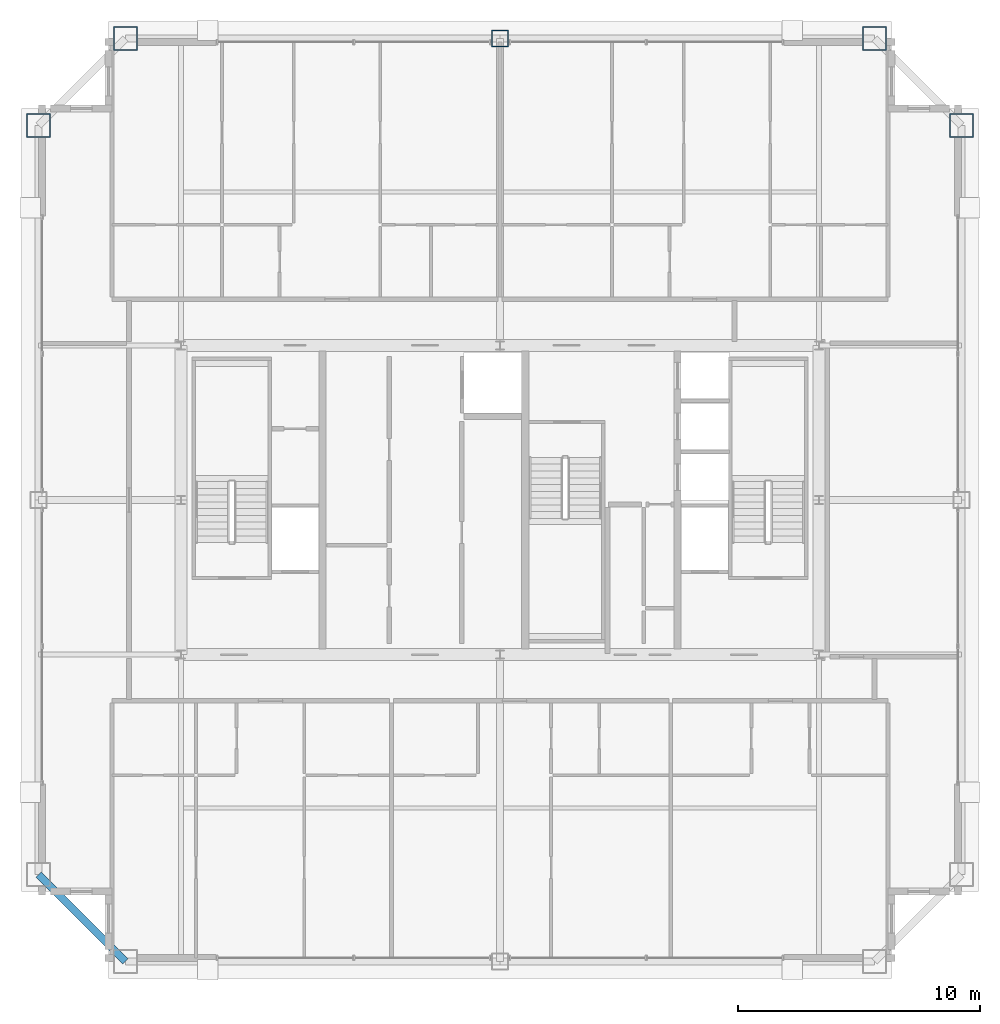
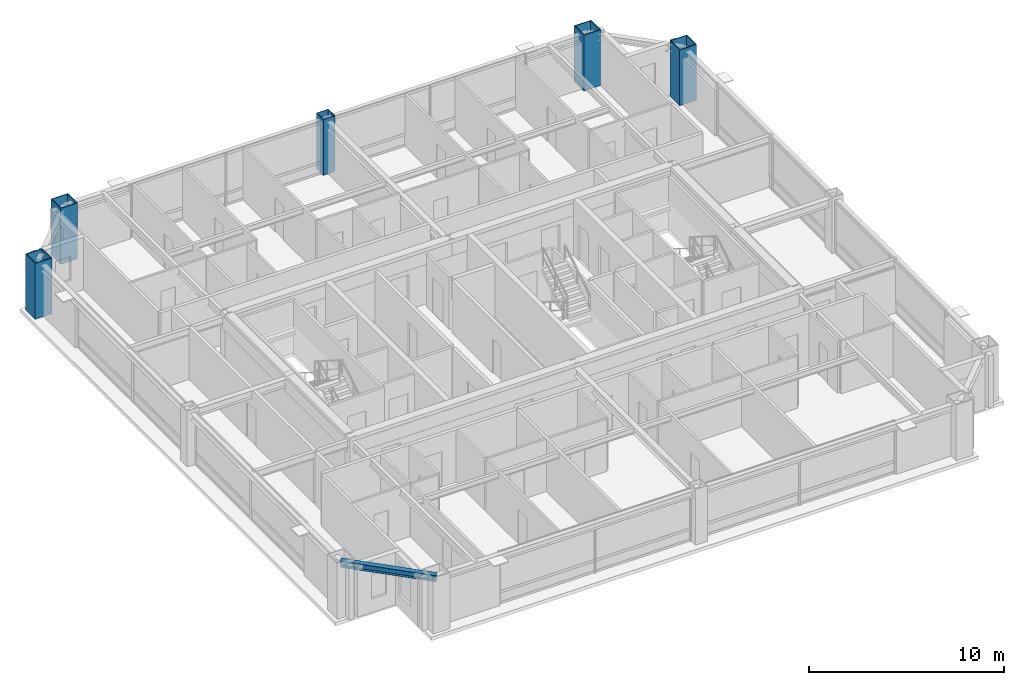
# One storey, part 3 of 35: 5 columns, 1 beam.
"""IFC4 building model written with IfcOpenShell, lengths in metres."""

from ifc_helpers import new_model, si_unit, direction, frame, origin, origin_2d, place, context, subcontext, project, spatial, hollow_rectangle, i_section, extrude, source, transform, mapped, material, material_profile, profile_set, type_object, element, save


model = new_model("IFC4")

# Units and contexts
model_context = context("Model", 3, precision=1e-05, world=origin(), true_north=direction((0.0, 1.0)))
body_context = subcontext(model_context, "Body", "Model", "MODEL_VIEW")
ifc_project = project(units=[si_unit("LENGTHUNIT", "METRE"), si_unit("AREAUNIT", "SQUARE_METRE"), si_unit("VOLUMEUNIT", "CUBIC_METRE"), si_unit("PLANEANGLEUNIT", "RADIAN"), si_unit("MASSUNIT", "GRAM", prefix="KILO"), si_unit("THERMODYNAMICTEMPERATUREUNIT", "KELVIN"), si_unit("POWERUNIT", "WATT")], contexts=[model_context])

# Site, building, storey
site_placement = place(None, origin())
site = spatial("IfcSite", under=ifc_project, at=site_placement, CompositionType="ELEMENT")
building_placement = place(site_placement, origin())
building = spatial("IfcBuilding", under=site, at=building_placement, Name="Yuzanri Waterfront Tower", CompositionType="ELEMENT")
storey_placement = place(building_placement, frame((0.0, 0.0, 332.199951171875)))
storey = spatial("IfcBuildingStorey", under=building, at=storey_placement, Name="L89", CompositionType="ELEMENT", Elevation=332.199951171875)

# Columns
ifc_material_1 = material(Name="Steel Q355B", Category="steel")
ifc_material_profile_1 = material_profile(ifc_material_1, hollow_rectangle(XDim=0.699951171875, YDim=0.699951171875, WallThickness=0.031982421875, at=origin_2d()), Name="RHS 700x700x32")
ifc_profile_set_1 = profile_set([ifc_material_profile_1], Name="Steel Q355B")
column_type_1 = type_object("IfcColumnType", Name="Frame Column Q355B RHS 700x700x32", PredefinedType="COLUMN", material=ifc_profile_set_1)
shared_shape_1 = source(origin(), body_context, "Body", "SweptSolid", [
    extrude(hollow_rectangle(XDim=0.699951171875, YDim=0.699951171875, WallThickness=0.031982421875, at=origin_2d()), origin(), (0.0, 0.0, 1.0), 3.5),
])
column_placement = place(storey_placement, frame((37.0, 44.89990234375, 0.0), z_axis=(0.0, 0.0, 1.0), x_axis=(1.0, 0.0, 0.0)))
element("IfcColumn", 1, at=column_placement, inside=storey, type_object=column_type_1, Name="L89 Perimeter Frame Column N2", PredefinedType="COLUMN", context=body_context, shape_type="MappedRepresentation", body=[
    mapped(shared_shape_1, transform((0.0, 0.0, 0.0), scale=1.0)),
])
ifc_material_2 = material(Name="Steel Q390GJC", Category="steel")
ifc_material_profile_2 = material_profile(ifc_material_2, hollow_rectangle(XDim=1.0, YDim=1.0, WallThickness=0.048095703125, at=origin_2d()), Name="RHS 1000x1000x48")
ifc_profile_set_2 = profile_set([ifc_material_profile_2], Name="Steel Q390GJC")
column_type_2 = type_object("IfcColumnType", Name="Mega Column Q390GJC RHS 1000x1000x48", PredefinedType="COLUMN", material=ifc_profile_set_2)
shared_shape_2 = source(origin(), body_context, "Body", "SweptSolid", [
    extrude(hollow_rectangle(XDim=1.0, YDim=1.0, WallThickness=0.048095703125, at=origin_2d()), origin(), (0.0, 0.0, 1.0), 3.5),
])
for number, where, z_axis, x_axis, name in (
    (2, (21.5, 44.89990234375, 0.0), (0.0, 0.0, 1.0), (1.0, 0.0, 0.0), "L89 Perimeter Mega Column N1"),
    (3, (52.5, 44.89990234375, 0.0), (0.0, 0.0, 1.0), (1.0, 0.0, 0.0), "L89 Perimeter Mega Column N3"),
    (4, (17.89990234375, 41.300048828125, 0.0), (0.0, 0.0, 1.0), (1.0, 0.0, 0.0), "L89 Perimeter Mega Column W3"),
    (5, (56.10009765625, 41.300048828125, 0.0), (0.0, 0.0, 1.0), (1.0, 0.0, 0.0), "L89 Perimeter Mega Column E3"),
):
    element("IfcColumn", number, at=place(storey_placement, frame(where, z_axis=z_axis, x_axis=x_axis)), inside=storey, type_object=column_type_2, Name=name, PredefinedType="COLUMN", context=body_context, shape_type="MappedRepresentation", body=[
        mapped(shared_shape_2, transform((0.0, 0.0, 0.0), scale=1.0)),
    ])

# Beam
ifc_material_3 = material(Name="Steel Q355B", Category="steel")
ifc_material_profile_3 = material_profile(ifc_material_3, i_section(OverallWidth=0.300048828125, OverallDepth=0.389892578125, WebThickness=0.010009765625, FlangeThickness=0.01611328125, at=origin_2d()), Name="HM 390x300x10x16")
ifc_profile_set_3 = profile_set([ifc_material_profile_3], Name="Steel Q355B")
beam_type = type_object("IfcBeamType", Name="Perimeter Spandrel Q355B HM 390x300", PredefinedType="SPANDREL", material=ifc_profile_set_3)
shared_shape_3 = source(origin(), body_context, "Body", "SweptSolid", [
    extrude(i_section(OverallWidth=0.300048828125, OverallDepth=0.389892578125, WebThickness=0.010009765625, FlangeThickness=0.01611328125, at=origin_2d()), origin(), (0.0, 0.0, 1.0), 5.09130859375),
])
beam_placement = place(storey_placement, frame((17.89990234375, 10.300048828125, 3.0849609375), z_axis=(0.707106781187, -0.707106781187, 0.0), x_axis=(0.707106781187, 0.707106781187, 0.0)))
element("IfcBeam", 6, at=beam_placement, inside=storey, type_object=beam_type, Name="L89 Perimeter Spandrel W1-S1", PredefinedType="SPANDREL", context=body_context, shape_type="MappedRepresentation", body=[
    mapped(shared_shape_3, transform((0.0, 0.0, 0.0), scale=1.0)),
])

save(model, "model.ifc")
